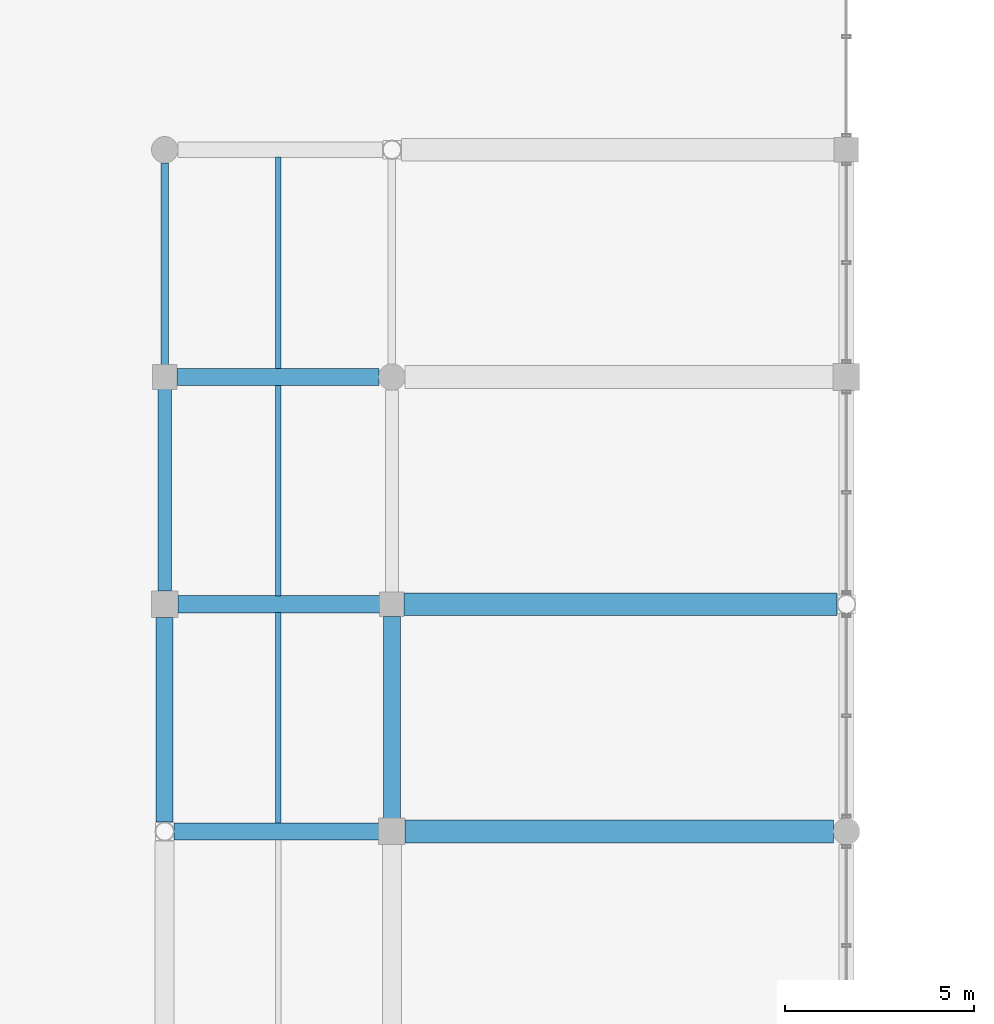
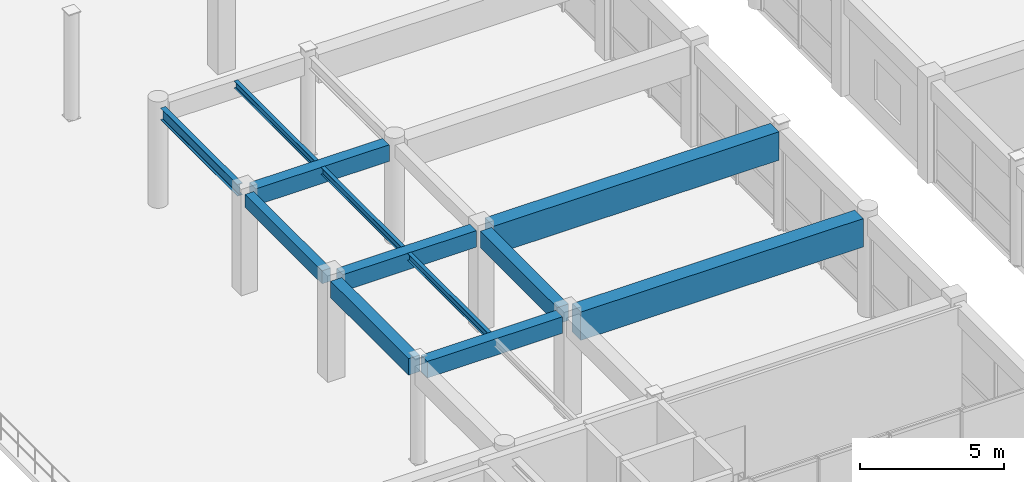
# One storey, part 51 of 116: 12 beams.
"""IFC4 building model written with IfcOpenShell, lengths in metres."""

from ifc_helpers import new_model, si_unit, direction, frame, origin, origin_2d, place, context, subcontext, project, spatial, rectangle, i_section, extrude, material, material_profile, profile_set, type_object, element, save


model = new_model("IFC4")

# Units and contexts
model_context = context("Model", 3, precision=1e-05, world=origin(), true_north=direction((0.0, 1.0)))
body_context = subcontext(model_context, "Body", "Model", "MODEL_VIEW")
ifc_project = project(units=[si_unit("LENGTHUNIT", "METRE"), si_unit("AREAUNIT", "SQUARE_METRE"), si_unit("VOLUMEUNIT", "CUBIC_METRE"), si_unit("PLANEANGLEUNIT", "RADIAN"), si_unit("MASSUNIT", "GRAM", prefix="KILO"), si_unit("THERMODYNAMICTEMPERATUREUNIT", "KELVIN"), si_unit("POWERUNIT", "WATT")], contexts=[model_context])

# Site, building, storey
site_placement = place(None, origin())
site = spatial("IfcSite", under=ifc_project, at=site_placement, CompositionType="ELEMENT")
building_placement = place(site_placement, origin())
building = spatial("IfcBuilding", under=site, at=building_placement, Name="Phaisarnlok Congress Hotel", CompositionType="ELEMENT")
storey_placement = place(building_placement, frame((0.0, 0.0, 10.5)))
storey = spatial("IfcBuildingStorey", under=building, at=storey_placement, Name="L02", CompositionType="ELEMENT", Elevation=10.5)

# Beams
ifc_material_1 = material(Name="Concrete C40/50", Category="concrete")
ifc_material_profile_1 = material_profile(ifc_material_1, rectangle(XDim=0.35009765625, YDim=0.550048828125, at=origin_2d()), Name="RC 350x550")
ifc_profile_set_1 = profile_set([ifc_material_profile_1], Name="Concrete C40/50")
beam_type_1 = type_object("IfcBeamType", Name="BM-RC-350x550", PredefinedType="BEAM", material=ifc_profile_set_1)
beam_1_placement = place(storey_placement, frame((138.0, 54.344970703125, 3.965087890625), z_axis=(0.0, 1.0, 0.0), x_axis=(-1.0, 0.0, 0.0)))
element("IfcBeam", 1, at=beam_1_placement, inside=storey, type_object=beam_type_1, Name="Beam B-01", PredefinedType="BEAM", context=body_context, shape_type="SweptSolid", body=[
    extrude(rectangle(XDim=0.35009765625, YDim=0.550048828125, at=origin_2d()), origin(), (0.0, 0.0, 1.0), 5.3349609375),
])
ifc_material_profile_2 = material_profile(ifc_material_1, rectangle(XDim=0.449951171875, YDim=0.699951171875, at=origin_2d()), Name="RC 450x700")
ifc_profile_set_2 = profile_set([ifc_material_profile_2], Name="Concrete C40/50")
beam_type_2 = type_object("IfcBeamType", Name="BM-RC-450x700", PredefinedType="BEAM", material=ifc_profile_set_2)
for number, where, z_axis, x_axis, name in (
    (2, (138.2490234375, 48.0, 3.889892578125), (1.0, 0.0, 0.0), (0.0, 1.0, 0.0), "Beam B-03"),
    (3, (138.0, 48.2490234375, 3.889892578125), (0.0, 1.0, 0.0), (-1.0, 0.0, 0.0), "Beam B-03"),
):
    element("IfcBeam", number, at=place(storey_placement, frame(where, z_axis=z_axis, x_axis=x_axis)), inside=storey, type_object=beam_type_2, Name=name, PredefinedType="BEAM", context=body_context, shape_type="SweptSolid", body=[
        extrude(rectangle(XDim=0.449951171875, YDim=0.699951171875, at=origin_2d()), origin(), (0.0, 0.0, 1.0), 5.406005859375),
    ])
for number, where, z_axis, x_axis, name in (
    (4, (138.344970703125, 54.0, 3.889892578125), (1.0, 0.0, 0.0), (0.0, 1.0, 0.0), "Beam B-03"),
    (5, (138.320068359375, 60.0, 3.889892578125), (1.0, 0.0, 0.0), (0.0, 1.0, 0.0), "Beam B-03"),
    (6, (144.0, 48.344970703125, 3.889892578125), (0.0, 1.0, 0.0), (-1.0, 0.0, 0.0), "Beam B-03"),
):
    element("IfcBeam", number, at=place(storey_placement, frame(where, z_axis=z_axis, x_axis=x_axis)), inside=storey, type_object=beam_type_2, Name=name, PredefinedType="BEAM", context=body_context, shape_type="SweptSolid", body=[
        extrude(rectangle(XDim=0.449951171875, YDim=0.699951171875, at=origin_2d()), origin(), (0.0, 0.0, 1.0), 5.3349609375),
    ])
ifc_material_2 = material(Name="Concrete C50/60", Category="concrete")
ifc_material_profile_3 = material_profile(ifc_material_2, rectangle(XDim=0.60009765625, YDim=1.199951171875, at=origin_2d()), Name="RC 600x1200")
ifc_profile_set_3 = profile_set([ifc_material_profile_3], Name="Concrete C50/60")
beam_type_3 = type_object("IfcBeamType", Name="BM-RC-600x1200", PredefinedType="BEAM", material=ifc_profile_set_3)
beam_2_placement = place(storey_placement, frame((144.344970703125, 48.0, 3.639892578125), z_axis=(1.0, 0.0, 0.0), x_axis=(0.0, 1.0, 0.0)))
element("IfcBeam", 7, at=beam_2_placement, inside=storey, type_object=beam_type_3, Name="Ramp bay 12m girder B-06", PredefinedType="BEAM", context=body_context, shape_type="SweptSolid", body=[
    extrude(rectangle(XDim=0.60009765625, YDim=1.199951171875, at=origin_2d()), origin(), (0.0, 0.0, 1.0), 11.31005859375),
])
beam_3_placement = place(storey_placement, frame((144.320068359375, 54.0, 3.639892578125), z_axis=(1.0, 0.0, 0.0), x_axis=(0.0, 1.0, 0.0)))
element("IfcBeam", 8, at=beam_3_placement, inside=storey, type_object=beam_type_3, Name="Ramp bay 12m girder B-06", PredefinedType="BEAM", context=body_context, shape_type="SweptSolid", body=[
    extrude(rectangle(XDim=0.60009765625, YDim=1.199951171875, at=origin_2d()), origin(), (0.0, 0.0, 1.0), 11.430908203125),
])
ifc_material_3 = material(Name="Steel S355", Category="steel")
ifc_material_profile_4 = material_profile(ifc_material_3, i_section(OverallWidth=0.199951171875, OverallDepth=0.5, WebThickness=0.01025390625, FlangeThickness=0.01611328125, FilletRadius=0.02099609375, at=origin_2d()), Name="IPE 500")
ifc_profile_set_4 = profile_set([ifc_material_profile_4], Name="Steel S355")
beam_type_4 = type_object("IfcBeamType", Name="BM-STL-IPE500", PredefinedType="BEAM", material=ifc_profile_set_4)
beam_4_placement = place(storey_placement, frame((138.0, 60.320068359375, 3.989990234375), z_axis=(0.0, 1.0, 0.0), x_axis=(-1.0, 0.0, 0.0)))
element("IfcBeam", 9, at=beam_4_placement, inside=storey, type_object=beam_type_4, Name="Beam SB-02", PredefinedType="BEAM", context=body_context, shape_type="SweptSolid", body=[
    extrude(i_section(OverallWidth=0.199951171875, OverallDepth=0.5, WebThickness=0.01025390625, FlangeThickness=0.01611328125, FilletRadius=0.02099609375, at=origin_2d()), origin(), (0.0, 0.0, 1.0), 5.3349609375),
])
ifc_material_profile_5 = material_profile(ifc_material_3, i_section(OverallWidth=0.14990234375, OverallDepth=0.300048828125, WebThickness=0.007080078125, FlangeThickness=0.0107421875, FilletRadius=0.014892578125, at=origin_2d()), Name="IPE 300")
ifc_profile_set_5 = profile_set([ifc_material_profile_5], Name="Steel S355")
beam_type_5 = type_object("IfcBeamType", Name="JS-STL-IPE300", PredefinedType="JOIST", material=ifc_profile_set_5)
for number, where, z_axis, x_axis, name in (
    (10, (141.0, 48.219970703125, 4.090087890625), (0.0, 1.0, 0.0), (-1.0, 0.0, 0.0), "Secondary floor joist J-03"),
    (11, (141.0, 54.219970703125, 4.090087890625), (0.0, 1.0, 0.0), (-1.0, 0.0, 0.0), "Secondary floor joist J-03"),
):
    element("IfcBeam", number, at=place(storey_placement, frame(where, z_axis=z_axis, x_axis=x_axis)), inside=storey, type_object=beam_type_5, Name=name, PredefinedType="JOIST", context=body_context, shape_type="SweptSolid", body=[
        extrude(i_section(OverallWidth=0.14990234375, OverallDepth=0.300048828125, WebThickness=0.007080078125, FlangeThickness=0.0107421875, FilletRadius=0.014892578125, at=origin_2d()), origin(), (0.0, 0.0, 1.0), 5.56005859375),
    ])
beam_5_placement = place(storey_placement, frame((141.0, 60.219970703125, 4.090087890625), z_axis=(0.0, 1.0, 0.0), x_axis=(-1.0, 0.0, 0.0)))
element("IfcBeam", 12, at=beam_5_placement, inside=storey, type_object=beam_type_5, Name="Secondary floor joist J-03", PredefinedType="JOIST", context=body_context, shape_type="SweptSolid", body=[
    extrude(i_section(OverallWidth=0.14990234375, OverallDepth=0.300048828125, WebThickness=0.007080078125, FlangeThickness=0.0107421875, FilletRadius=0.014892578125, at=origin_2d()), origin(), (0.0, 0.0, 1.0), 5.5849609375),
])

save(model, "model.ifc")
